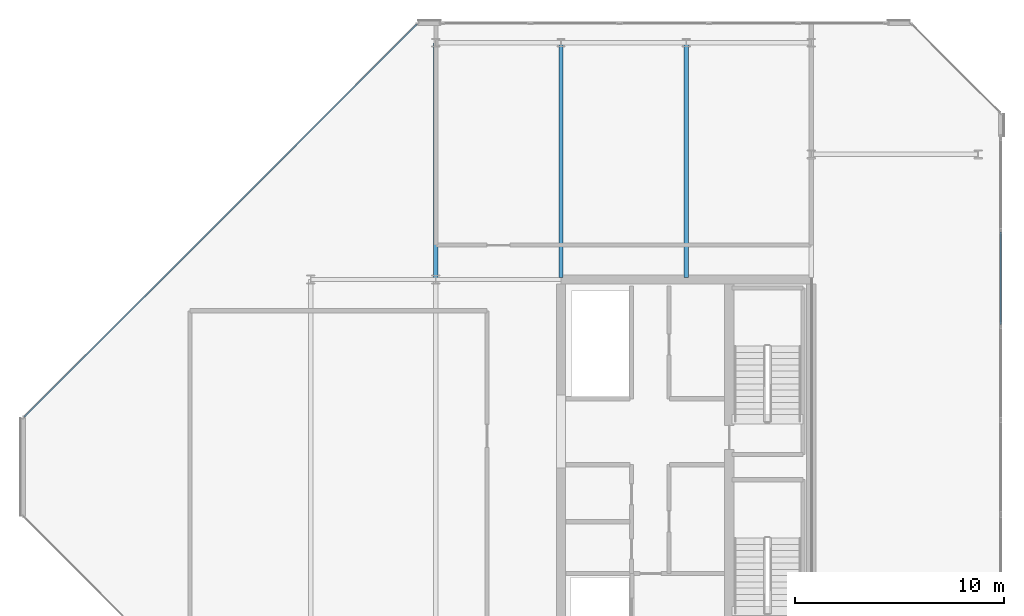
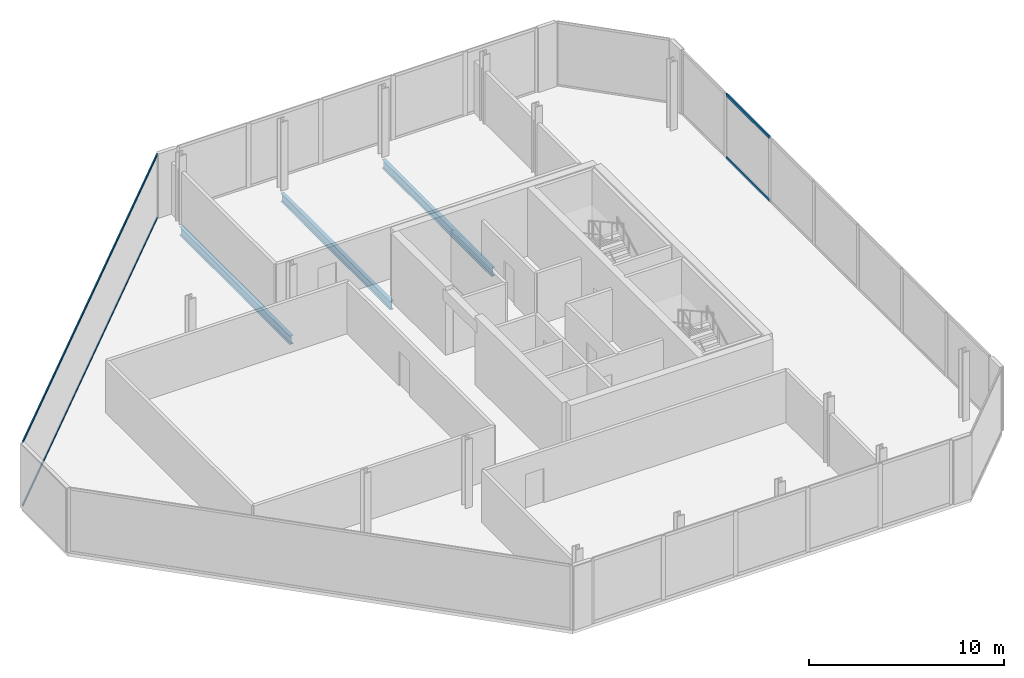
# One storey, part 9 of 16: 4 members, 3 beams, 2 elements without a shape of their own.
"""IFC4 building model written with IfcOpenShell, lengths in metres."""

from ifc_helpers import new_model, si_unit, direction, frame, origin, origin_2d, place, context, subcontext, project, spatial, hollow_rectangle, i_section, extrude, material, layer, layer_set, material_profile, profile_set, type_object, element, aggregate, save


model = new_model("IFC4")

# Units and contexts
model_context = context("Model", 3, precision=1e-05, world=origin(), true_north=direction((0.0, 1.0)))
body_context = subcontext(model_context, "Body", "Model", "MODEL_VIEW")
ifc_project = project(units=[si_unit("LENGTHUNIT", "METRE"), si_unit("AREAUNIT", "SQUARE_METRE"), si_unit("VOLUMEUNIT", "CUBIC_METRE"), si_unit("PLANEANGLEUNIT", "RADIAN"), si_unit("MASSUNIT", "GRAM", prefix="KILO")], contexts=[model_context])

# Site, building, storey
site_placement = place(None, origin())
site = spatial("IfcSite", under=ifc_project, at=site_placement, CompositionType="ELEMENT")
building_placement = place(site_placement, origin())
building = spatial("IfcBuilding", under=site, at=building_placement, Name="Tanjung Sevakor Pilgrim Tower", CompositionType="ELEMENT")
storey_placement = place(building_placement, frame((0.0, 0.0, 278.85009765625)))
storey = spatial("IfcBuildingStorey", under=building, at=storey_placement, Name="L78", CompositionType="ELEMENT", Elevation=278.85009765625)

# Beams
ifc_material_1 = material(Name="Steel S355J2", Category="steel")
ifc_material_profile_1 = material_profile(ifc_material_1, i_section(OverallWidth=0.210693359375, OverallDepth=0.53955078125, WebThickness=0.01171875, FlangeThickness=0.018798828125, FilletRadius=0.0126953125, at=origin_2d()))
ifc_profile_set_1 = profile_set([ifc_material_profile_1], Name="Steel S355J2")
beam_type = type_object("IfcBeamType", Name="BM-B-G6-UB_533x210x109", PredefinedType="BEAM", material=ifc_profile_set_1)
beam_placement = place(storey_placement, frame((72.0, 42.60009765625, -0.52978515625), z_axis=(0.0, 1.0, 0.0), x_axis=(-1.0, 0.0, 0.0)))
element("IfcBeam", 1, at=beam_placement, inside=storey, type_object=beam_type, Name="L78 EAST Girder 004", PredefinedType="BEAM", context=body_context, shape_type="SweptSolid", body=[
    extrude(i_section(OverallWidth=0.210693359375, OverallDepth=0.53955078125, WebThickness=0.01171875, FlangeThickness=0.018798828125, FilletRadius=0.0126953125, at=origin_2d()), origin(), (0.0, 0.0, 1.0), 11.349853515625),
])
for number, where, z_axis, x_axis, name in (
    (2, (78.0, 42.7060546875, -0.52978515625), (0.0, 1.0, 0.0), (-1.0, 0.0, 0.0), "L78 EAST Girder 006"),
    (3, (84.0, 42.7060546875, -0.52978515625), (0.0, 1.0, 0.0), (-1.0, 0.0, 0.0), "L78 EAST Girder 008"),
):
    element("IfcBeam", number, at=place(storey_placement, frame(where, z_axis=z_axis, x_axis=x_axis)), inside=storey, type_object=beam_type, Name=name, PredefinedType="BEAM", context=body_context, shape_type="SweptSolid", body=[
        extrude(i_section(OverallWidth=0.210693359375, OverallDepth=0.53955078125, WebThickness=0.01171875, FlangeThickness=0.018798828125, FilletRadius=0.0126953125, at=origin_2d()), origin(), (0.0, 0.0, 1.0), 11.243896484375),
    ])

# Curtain wall, members
ifc_material_2 = material(Name="Aluminium 6063-T6 and Low-E Glass", Category="aluminium")
ifc_layer_1 = layer(ifc_material_2, 0.179931640625)
ifc_layer_set_1 = layer_set([ifc_layer_1], Name="CW-SYS-CHAM")
curtain_wall_type_1 = type_object("IfcCurtainWallType", Name="CW-SYS-CHAM", PredefinedType="NOTDEFINED", material=ifc_layer_set_1)
curtain_wall_1_placement = place(storey_placement, origin())
curtain_wall_1 = element("IfcCurtainWall", 4, at=curtain_wall_1_placement, inside=storey, type_object=curtain_wall_type_1, Name="L78 Curtain Wall CW-CHM-L78-EAST-5", PredefinedType="NOTDEFINED")
ifc_material_3 = material(Name="Aluminium 6063-T6", Category="aluminium")
ifc_material_profile_2 = material_profile(ifc_material_3, hollow_rectangle(XDim=0.06494140625, YDim=0.139892578125, WallThickness=0.00390625, at=origin_2d()))
ifc_profile_set_2 = profile_set([ifc_material_profile_2], Name="Aluminium 6063-T6")
member_type_1 = type_object("IfcMemberType", Name="TYPE-CWT-1", PredefinedType="USERDEFINED", material=ifc_profile_set_2)
member_1_placement = place(storey_placement, frame((71.099609375, 54.843994140625, 0.032470703125), z_axis=(-0.707106781187, -0.707106781187, 0.0), x_axis=(0.707106781187, -0.707106781187, 0.0)))
member_1 = element("IfcMember", 5, at=member_1_placement, type_object=member_type_1, Name="CW-CHM transom 1.1", ObjectType="TRANSOM", PredefinedType="USERDEFINED", context=body_context, shape_type="SweptSolid", body=[
    extrude(hollow_rectangle(XDim=0.06494140625, YDim=0.139892578125, WallThickness=0.00390625, at=origin_2d()), origin(), (0.0, 0.0, 1.0), 26.649169921875),
])
member_2_placement = place(storey_placement, frame((71.099609375, 54.843994140625, 3.997314453125), z_axis=(-0.707106781187, -0.707106781187, 0.0), x_axis=(0.707106781187, -0.707106781187, 0.0)))
member_2 = element("IfcMember", 6, at=member_2_placement, type_object=member_type_1, Name="CW-CHM transom 1.2", ObjectType="TRANSOM", PredefinedType="USERDEFINED", context=body_context, shape_type="SweptSolid", body=[
    extrude(hollow_rectangle(XDim=0.06494140625, YDim=0.139892578125, WallThickness=0.00390625, at=origin_2d()), origin(), (0.0, 0.0, 1.0), 26.649169921875),
])
aggregate(curtain_wall_1, [member_1, member_2])

ifc_material_4 = material(Name="Aluminium 6063-T6 and Low-E Glass", Category="aluminium")
ifc_layer_2 = layer(ifc_material_4, 0.219970703125)
ifc_layer_set_2 = layer_set([ifc_layer_2], Name="CW-SYS-CRNE")
curtain_wall_type_2 = type_object("IfcCurtainWallType", Name="CW-SYS-CRNE", PredefinedType="NOTDEFINED", material=ifc_layer_set_2)
curtain_wall_2_placement = place(storey_placement, origin())
curtain_wall_2 = element("IfcCurtainWall", 7, at=curtain_wall_2_placement, inside=storey, type_object=curtain_wall_type_2, Name="L78 Curtain Wall CW-CRN-L78-EAST-2-1", PredefinedType="NOTDEFINED")
ifc_material_5 = material(Name="Aluminium 6063-T6", Category="aluminium")
ifc_material_profile_3 = material_profile(ifc_material_5, hollow_rectangle(XDim=0.080078125, YDim=0.179931640625, WallThickness=0.0048828125, at=origin_2d()))
ifc_profile_set_3 = profile_set([ifc_material_profile_3], Name="Aluminium 6063-T6")
member_type_2 = type_object("IfcMemberType", Name="TYPE-CWT-3", PredefinedType="USERDEFINED", material=ifc_profile_set_3)
member_3_placement = place(storey_placement, frame((99.090087890625, 40.434814453125, 0.039794921875), z_axis=(0.0, 1.0, 0.0), x_axis=(-1.0, 0.0, 0.0)))
member_3 = element("IfcMember", 8, at=member_3_placement, type_object=member_type_2, Name="CW-CRE transom 6.1", ObjectType="TRANSOM", PredefinedType="USERDEFINED", context=body_context, shape_type="SweptSolid", body=[
    extrude(hollow_rectangle(XDim=0.080078125, YDim=0.179931640625, WallThickness=0.0048828125, at=origin_2d()), origin(), (0.0, 0.0, 1.0), 4.44970703125),
])
member_4_placement = place(storey_placement, frame((99.090087890625, 40.434814453125, 3.989990234375), z_axis=(0.0, 1.0, 0.0), x_axis=(-1.0, 0.0, 0.0)))
member_4 = element("IfcMember", 9, at=member_4_placement, type_object=member_type_2, Name="CW-CRE transom 6.2", ObjectType="TRANSOM", PredefinedType="USERDEFINED", context=body_context, shape_type="SweptSolid", body=[
    extrude(hollow_rectangle(XDim=0.080078125, YDim=0.179931640625, WallThickness=0.0048828125, at=origin_2d()), origin(), (0.0, 0.0, 1.0), 4.44970703125),
])
aggregate(curtain_wall_2, [member_3, member_4])

save(model, "model.ifc")
